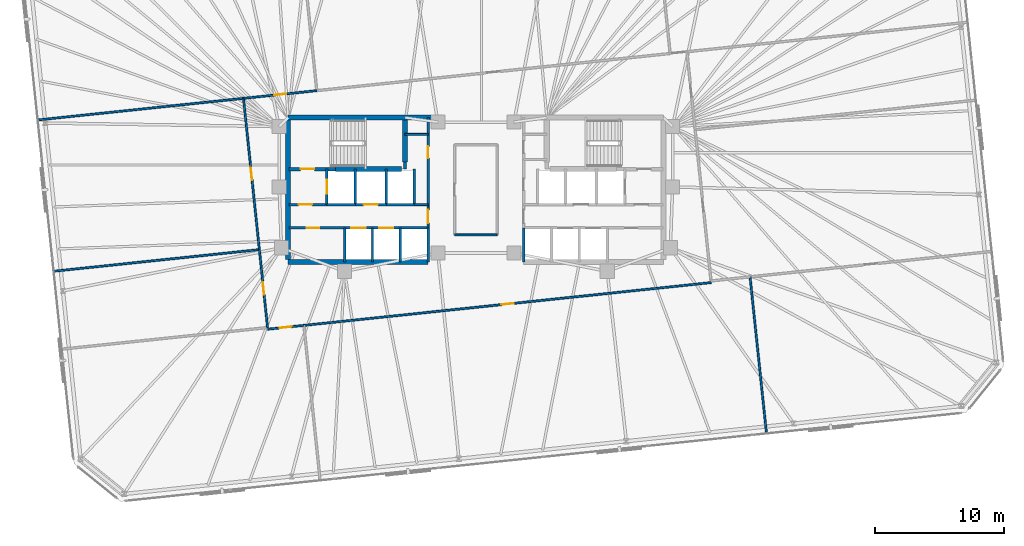
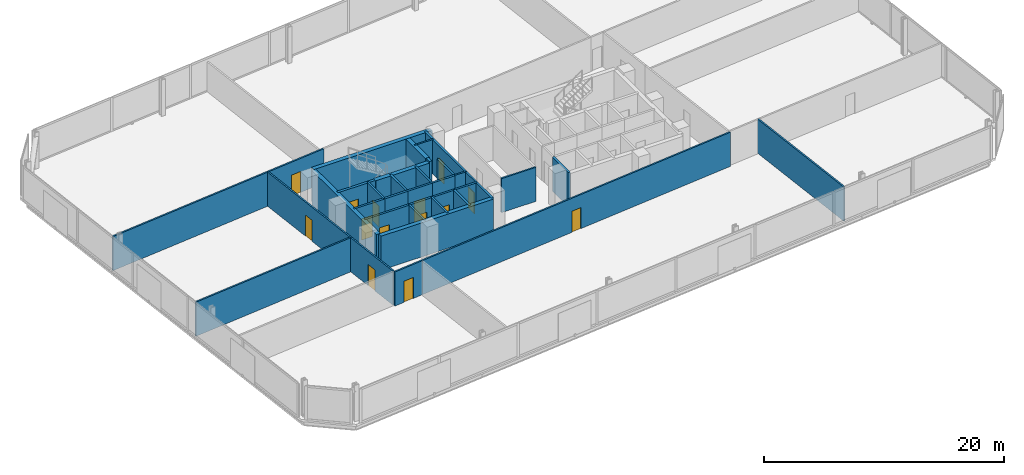
# One storey, part 14 of 18: 34 walls, 14 doors, 14 openings.
"""IFC4 building model written with IfcOpenShell, lengths in metres."""

import ifcopenshell
import ifcopenshell.guid

model = None  # the IFC model being written
_history = None  # IfcOwnerHistory: only IFC2X3 demands one
_inside = {}  # id of a spatial element -> (the spatial element, [elements in it])
_under = {}  # id of a project, library or spatial element -> (it, [spatial elements below it])
_declared = {}  # id of a project -> (the project, [libraries it declares])
_typed = {}  # id of a type object -> (the type object, [elements of that type])
_made_of = {}  # id of a material, layer set ... -> (it, [elements and type objects made of it])


def new_model(schema):
    """Start an empty IFC model of exactly this schema.

    Asked for "IFC4X3", IfcOpenShell would pick the latest addendum, in which some entities
    have other attributes; the version numbers below select the first issue.
    IFC2X3 requires an IfcOwnerHistory on every rooted entity: one is made here for all.
    """
    global model, _history
    if schema == "IFC4X3":
        model = ifcopenshell.file(schema_version=(4, 3, 0, 0))
    else:
        model = ifcopenshell.file(schema=schema)
    _inside.clear()
    _under.clear()
    _declared.clear()
    _typed.clear()
    _made_of.clear()
    _history = None
    if model.schema == "IFC2X3":
        org = make("IfcOrganization", Name="unknown")
        user = make(
            "IfcPersonAndOrganization",
            ThePerson=make("IfcPerson", FamilyName="unknown"),
            TheOrganization=org,
        )
        app = make(
            "IfcApplication",
            ApplicationDeveloper=org,
            Version="unknown",
            ApplicationFullName="unknown",
            ApplicationIdentifier="unknown",
        )
        _history = make(
            "IfcOwnerHistory",
            OwningUser=user,
            OwningApplication=app,
            ChangeAction="ADDED",
            CreationDate=0,
        )
    return model


def make(cls, **values):
    """One entity of the class cls with the attributes given. An attribute that is None is left unset."""
    return model.create_entity(
        cls, **{name: value for name, value in values.items() if value is not None}
    )


def rooted(cls, **values):
    """An entity with a GlobalId (a new one), such as an element, a storey or a relation."""
    return make(cls, GlobalId=ifcopenshell.guid.new(), OwnerHistory=_history, **values)


def si_unit(unit_type, name, prefix=None):
    """IfcSIUnit, for example si_unit("LENGTHUNIT", "METRE", prefix="MILLI")."""
    return make("IfcSIUnit", UnitType=unit_type, Prefix=prefix, Name=name)


def assignment(units):
    """IfcUnitAssignment: the units of a project."""
    return None if units is None else make("IfcUnitAssignment", Units=units)


def point(xyz):
    """IfcCartesianPoint."""
    return None if xyz is None else make("IfcCartesianPoint", Coordinates=xyz)


def direction(xyz):
    """IfcDirection."""
    return None if xyz is None else make("IfcDirection", DirectionRatios=xyz)


def frame(location, z_axis=None, x_axis=None):
    """IfcAxis2Placement3D, a coordinate frame: its origin and axes. An axis left out is left unset."""
    return make(
        "IfcAxis2Placement3D",
        Location=point(location),
        Axis=direction(z_axis),
        RefDirection=direction(x_axis),
    )


def frame_2d(location, x_axis=None):
    """IfcAxis2Placement2D, a coordinate frame in the plane: its origin and x axis."""
    return make(
        "IfcAxis2Placement2D", Location=point(location), RefDirection=direction(x_axis)
    )


def origin():
    """The frame at (0, 0, 0) with its axes left unset."""
    return frame((0.0, 0.0, 0.0))


def place(relative_to, where):
    """IfcLocalPlacement: puts the frame where relative to a parent placement (None: the world)."""
    return make(
        "IfcLocalPlacement", PlacementRelTo=relative_to, RelativePlacement=where
    )


def context(
    kind, dimensions, precision=None, world=None, true_north=None, identifier=None
):
    """IfcGeometricRepresentationContext, for example the 3D "Model" context."""
    return make(
        "IfcGeometricRepresentationContext",
        ContextIdentifier=identifier,
        ContextType=kind,
        CoordinateSpaceDimension=dimensions,
        Precision=precision,
        WorldCoordinateSystem=world,
        TrueNorth=true_north,
    )


def subcontext(parent, identifier, kind, view, scale=None):
    """IfcGeometricRepresentationSubContext, for example "Body" below "Model"."""
    return make(
        "IfcGeometricRepresentationSubContext",
        ContextIdentifier=identifier,
        ContextType=kind,
        ParentContext=parent,
        TargetScale=scale,
        TargetView=view,
    )


def project(units=None, contexts=None):
    """IfcProject with its units and contexts."""
    return rooted(
        "IfcProject",
        Name="project",
        RepresentationContexts=contexts,
        UnitsInContext=assignment(units),
    )


def spatial(cls, under=None, at=None, **own):
    """A site, building, storey or space (cls), placed at a placement, below another one or the project."""
    s = rooted(cls, ObjectPlacement=at, **own)
    if under is not None:
        _under.setdefault(under.id(), (under, []))[1].append(s)
    return s


def profile(cls, at=None, kind="AREA", **sizes):
    """A parametric profile (cls). Its sizes go by their IFC names, for example OverallWidth=200.0."""
    return make(cls, ProfileType=kind, Position=at, **sizes)


def rectangle(**sizes):
    """IfcRectangleProfileDef."""
    return profile("IfcRectangleProfileDef", **sizes)


def extrude(swept, where, along, depth):
    """IfcExtrudedAreaSolid: the profile swept, set in the frame where, extruded along a direction by depth."""
    return make(
        "IfcExtrudedAreaSolid",
        SweptArea=swept,
        Position=where,
        ExtrudedDirection=direction(along),
        Depth=depth,
    )


def shape(context_of_items, identifier, shape_type, items):
    """IfcShapeRepresentation: the items that make up one representation, for example the "Body"."""
    return make(
        "IfcShapeRepresentation",
        ContextOfItems=context_of_items,
        RepresentationIdentifier=identifier,
        RepresentationType=shape_type,
        Items=items,
    )


def material(Name=None, Category=None):
    """IfcMaterial."""
    return make("IfcMaterial", Name=Name, Category=Category)


def layer(
    of_material, thickness, ventilated=None, Name=None, Category=None, Priority=None
):
    """IfcMaterialLayer: one layer of a wall or slab, of a material (None: an air gap)."""
    return make(
        "IfcMaterialLayer",
        Material=of_material,
        LayerThickness=thickness,
        IsVentilated=ventilated,
        Name=Name,
        Category=Category,
        Priority=Priority,
    )


def layer_set(layers, Name=None):
    """IfcMaterialLayerSet."""
    return make("IfcMaterialLayerSet", MaterialLayers=layers, LayerSetName=Name)


def made_of(thing, what):
    """Note that an element or type object is made of a material, layer set ...; save() writes the relation."""
    if what is not None:
        _made_of.setdefault(what.id(), (what, []))[1].append(thing)
    return thing


def type_object(cls, material=None, **own):
    """A type object (cls), such as IfcWallType, which elements share."""
    return made_of(rooted(cls, **own), material)


def element(
    cls,
    number,
    at=None,
    inside=None,
    cuts=None,
    type_object=None,
    material=None,
    context=None,
    identifier="Body",
    shape_type=None,
    held_by="IfcProductDefinitionShape",
    body=None,
    shapes=None,
    **own,
):
    """One element of the class cls, such as IfcWall. Its Tag is "e" and its number.

    at: its placement. inside: the storey or other place that contains it. cuts: it is an
    opening in that element (IfcRelVoidsElement). A single representation is given by context,
    identifier, shape_type and body (its items); several are given by shapes. held_by: the class
    of the entity that holds the representations. save() writes the other relations.
    """
    e = rooted(cls, Tag="e%d" % number, ObjectPlacement=at, **own)
    if body is not None:
        shapes = [shape(context, identifier, shape_type, body)]
    if shapes is not None:
        e.Representation = make(held_by, Representations=shapes)
    if inside is not None:
        _inside.setdefault(inside.id(), (inside, []))[1].append(e)
    if cuts is not None:
        rooted(
            "IfcRelVoidsElement", RelatingBuildingElement=cuts, RelatedOpeningElement=e
        )
    if type_object is not None:
        _typed.setdefault(type_object.id(), (type_object, []))[1].append(e)
    return made_of(e, material)


def fill(opening, filler):
    """IfcRelFillsElement: the door or window that sits in an opening."""
    return rooted(
        "IfcRelFillsElement",
        RelatingOpeningElement=opening,
        RelatedBuildingElement=filler,
    )


def aggregate(whole, parts):
    """IfcRelAggregates: a whole, such as a stair, and the parts it consists of."""
    return rooted("IfcRelAggregates", RelatingObject=whole, RelatedObjects=parts)


def save(model, path):
    """Write the relations noted so far, then the file.

    IfcRelAggregates (storeys below a building ...), IfcRelContainedInSpatialStructure (elements
    in a storey), IfcRelDefinesByType, IfcRelAssociatesMaterial and IfcRelDeclares: one each for
    every whole, place, type object, material and project.
    """
    for whole, parts in _under.values():
        aggregate(whole, parts)
    for where, things in _inside.values():
        rooted(
            "IfcRelContainedInSpatialStructure",
            RelatedElements=things,
            RelatingStructure=where,
        )
    for kind, things in _typed.values():
        rooted("IfcRelDefinesByType", RelatedObjects=things, RelatingType=kind)
    for what, things in _made_of.values():
        rooted("IfcRelAssociatesMaterial", RelatedObjects=things, RelatingMaterial=what)
    for by, libraries in _declared.values():
        rooted("IfcRelDeclares", RelatingContext=by, RelatedDefinitions=libraries)
    model.write(path)


model = new_model("IFC4")

# Units and contexts
model_context = context("Model", 3, precision=1e-05, world=origin(), true_north=direction((0.0, 1.0)))
body_context = subcontext(model_context, "Body", "Model", "MODEL_VIEW")
ifc_project = project(units=[si_unit("LENGTHUNIT", "METRE"), si_unit("AREAUNIT", "SQUARE_METRE"), si_unit("VOLUMEUNIT", "CUBIC_METRE"), si_unit("PLANEANGLEUNIT", "RADIAN"), si_unit("MASSUNIT", "GRAM", prefix="KILO")], contexts=[model_context])

# Site, building, storey
site_placement = place(None, origin())
site = spatial("IfcSite", under=ifc_project, at=site_placement, CompositionType="ELEMENT")
building_placement = place(site_placement, origin())
building = spatial("IfcBuilding", under=site, at=building_placement, Name="Menara Jurai Vektor", CompositionType="ELEMENT")
storey_placement = place(building_placement, frame((0.0, 0.0, 91.10009765625)))
storey = spatial("IfcBuildingStorey", under=building, at=storey_placement, Name="L22", CompositionType="ELEMENT", Elevation=91.10009765625)

# Wall, opening, door
ifc_material_1 = material(Name="Concrete C40/50", Category="concrete")
ifc_layer_1 = layer(ifc_material_1, 0.25)
ifc_layer_set_1 = layer_set([ifc_layer_1], Name="Concrete C40/50")
wall_type_1 = type_object("IfcWallType", Name="INT-WALL-CORE-250", PredefinedType="STANDARD", material=ifc_layer_set_1)
wall_1_placement = place(storey_placement, frame((-14.5, 1.60009765625, 0.0), z_axis=(0.0, 0.0, 1.0), x_axis=(1.0, 0.0, 0.0)))
wall_1 = element("IfcWall", 1, at=wall_1_placement, inside=storey, type_object=wall_type_1, Name="Interior Wall IW-250 L22", PredefinedType="STANDARD", context=body_context, shape_type="SweptSolid", body=[
    extrude(rectangle(XDim=3.60009765625, YDim=0.25, at=frame_2d((1.800048828125, 0.0))), origin(), (0.0, 0.0, 1.0), 3.474853515625),
])
opening_1_placement = place(wall_1_placement, frame((0.919921875, 0.0, 0.0)))
opening_1 = element("IfcOpeningElement", 2, at=opening_1_placement, cuts=wall_1, Name="Opening D-L22-ST1", PredefinedType="OPENING", context=body_context, shape_type="SweptSolid", body=[
    extrude(rectangle(XDim=1.050048828125, YDim=2.14990234375, at=frame_2d((0.52490234375, 1.074951171875))), frame((0.0, 0.135009765625, 0.0), z_axis=(0.0, -1.0, 0.0), x_axis=(1.0, 0.0, 0.0)), (0.0, 0.0, 1.0), 0.27001953125),
])
ifc_material_2 = material(Name="Fire-Rated Steel Door", Category="steel")
door_type_1 = type_object("IfcDoorType", Name="DR-STAIR-1050", OperationType="NOTDEFINED", PredefinedType="DOOR", material=ifc_material_2)
door_1_placement = place(opening_1_placement, origin())
door_1 = element("IfcDoor", 3, at=door_1_placement, inside=storey, type_object=door_type_1, Name="Exit Stair ST1 Door L22", OperationType="SINGLE_SWING_RIGHT", OverallHeight=2.14990234375, OverallWidth=1.050048828125, PredefinedType="DOOR", context=body_context, shape_type="SweptSolid", body=[
    extrude(rectangle(XDim=1.050048828125, YDim=2.14990234375, at=frame_2d((0.52490234375, 1.074951171875))), frame((0.0, 0.02490234375, 0.0), z_axis=(0.0, -1.0, 0.0), x_axis=(1.0, 0.0, 0.0)), (0.0, 0.0, 1.0), 0.050048828125),
])
fill(opening_1, door_1)

# Wall
wall_2_placement = place(storey_placement, frame((-5.5, 1.60009765625, 0.0), z_axis=(0.0, 0.0, 1.0), x_axis=(0.0, 1.0, 0.0)))
element("IfcWall", 4, at=wall_2_placement, inside=storey, type_object=wall_type_1, Name="Interior Wall IW-250 L22", PredefinedType="STANDARD", context=body_context, shape_type="SweptSolid", body=[
    extrude(rectangle(XDim=0.5498046875, YDim=0.25, at=frame_2d((0.27490234375, 0.0))), origin(), (0.0, 0.0, 1.0), 3.474853515625),
])

# Wall, opening, door
wall_3_placement = place(storey_placement, frame((-11.550048828125, -1.14990234375, 0.0), z_axis=(0.0, 0.0, 1.0), x_axis=(0.0, 1.0, 0.0)))
wall_3 = element("IfcWall", 5, at=wall_3_placement, inside=storey, type_object=wall_type_1, Name="Interior Wall IW-250 L22", PredefinedType="STANDARD", context=body_context, shape_type="SweptSolid", body=[
    extrude(rectangle(XDim=2.75, YDim=0.199951171875, at=frame_2d((1.375, 0.0))), origin(), (0.0, 0.0, 1.0), 3.474853515625),
])
opening_2_placement = place(wall_3_placement, frame((0.824951171875, 0.0, 0.0)))
opening_2 = element("IfcOpeningElement", 6, at=opening_2_placement, cuts=wall_3, Name="Opening LD-L22-FL1", PredefinedType="OPENING", context=body_context, shape_type="SweptSolid", body=[
    extrude(rectangle(XDim=1.10009765625, YDim=2.14990234375, at=frame_2d((0.550048828125, 1.074951171875))), frame((0.0, 0.10986328125, 0.0), z_axis=(0.0, -1.0, 0.0), x_axis=(1.0, 0.0, 0.0)), (0.0, 0.0, 1.0), 0.219970703125),
])
ifc_material_3 = material(Name="Stainless Steel Sliding Lift Landing Door", Category="steel")
door_type_2 = type_object("IfcDoorType", Name="DR-LIFT-FIRE-1100", OperationType="NOTDEFINED", PredefinedType="DOOR", material=ifc_material_3)
door_2_placement = place(opening_2_placement, origin())
door_2 = element("IfcDoor", 7, at=door_2_placement, inside=storey, type_object=door_type_2, Name="Lift Landing Door FL1 L22", OperationType="SLIDING_TO_RIGHT", OverallHeight=2.14990234375, OverallWidth=1.10009765625, PredefinedType="DOOR", context=body_context, shape_type="SweptSolid", body=[
    extrude(rectangle(XDim=1.10009765625, YDim=2.14990234375, at=frame_2d((0.550048828125, 1.074951171875))), frame((0.0, 0.02490234375, 0.0), z_axis=(0.0, -1.0, 0.0), x_axis=(1.0, 0.0, 0.0)), (0.0, 0.0, 1.0), 0.050048828125),
])
fill(opening_2, door_2)

# Wall
wall_4_placement = place(storey_placement, frame((-9.35009765625, -1.14990234375, 0.0), z_axis=(0.0, 0.0, 1.0), x_axis=(0.0, 1.0, 0.0)))
element("IfcWall", 8, at=wall_4_placement, inside=storey, type_object=wall_type_1, Name="Interior Wall IW-250 L22", PredefinedType="STANDARD", context=body_context, shape_type="SweptSolid", body=[
    extrude(rectangle(XDim=2.75, YDim=0.199951171875, at=frame_2d((1.375, 0.0))), origin(), (0.0, 0.0, 1.0), 3.474853515625),
])

# Wall, opening, door
wall_5_placement = place(storey_placement, frame((-14.5, -1.14990234375, 0.0), z_axis=(0.0, 0.0, 1.0), x_axis=(1.0, 0.0, 0.0)))
wall_5 = element("IfcWall", 9, at=wall_5_placement, inside=storey, type_object=wall_type_1, Name="Interior Wall IW-250 L22", PredefinedType="STANDARD", context=body_context, shape_type="SweptSolid", body=[
    extrude(rectangle(XDim=2.949951171875, YDim=0.199951171875, at=frame_2d((1.47509765625, 0.0))), origin(), (0.0, 0.0, 1.0), 3.474853515625),
])
opening_3_placement = place(wall_5_placement, frame((0.75, 0.0, 0.0)))
opening_3 = element("IfcOpeningElement", 10, at=opening_3_placement, cuts=wall_5, Name="Opening D-L22-FFW", PredefinedType="OPENING", context=body_context, shape_type="SweptSolid", body=[
    extrude(rectangle(XDim=1.050048828125, YDim=2.179931640625, at=frame_2d((0.52490234375, 1.08984375))), frame((0.0, 0.10986328125, 0.0), z_axis=(0.0, -1.0, 0.0), x_axis=(1.0, 0.0, 0.0)), (0.0, 0.0, 1.0), 0.219970703125),
])
ifc_material_4 = material(Name="Fire-Rated Timber Door", Category="wood")
door_type_3 = type_object("IfcDoorType", Name="DR-LOBBY-1050", OperationType="NOTDEFINED", PredefinedType="DOOR", material=ifc_material_4)
door_3_placement = place(opening_3_placement, origin())
door_3 = element("IfcDoor", 11, at=door_3_placement, inside=storey, type_object=door_type_3, Name="Fire Lift Lobby Door W L22", OperationType="SINGLE_SWING_RIGHT", OverallHeight=2.179931640625, OverallWidth=1.050048828125, PredefinedType="DOOR", context=body_context, shape_type="SweptSolid", body=[
    extrude(rectangle(XDim=1.050048828125, YDim=2.179931640625, at=frame_2d((0.52490234375, 1.08984375))), frame((0.0, 0.02490234375, 0.0), z_axis=(0.0, -1.0, 0.0), x_axis=(1.0, 0.0, 0.0)), (0.0, 0.0, 1.0), 0.050048828125),
])
fill(opening_3, door_3)

# Wall
wall_6_placement = place(storey_placement, frame((-11.550048828125, -1.14990234375, 0.0), z_axis=(0.0, 0.0, 1.0), x_axis=(1.0, 0.0, 0.0)))
element("IfcWall", 12, at=wall_6_placement, inside=storey, type_object=wall_type_1, Name="Interior Wall IW-250 L22", PredefinedType="STANDARD", context=body_context, shape_type="SweptSolid", body=[
    extrude(rectangle(XDim=2.199951171875, YDim=0.199951171875, at=frame_2d((1.10009765625, 0.0))), origin(), (0.0, 0.0, 1.0), 3.474853515625),
])

# Wall, opening, door
ifc_material_5 = material(Name="Gypsum Fireboard Partition", Category="gypsum")
ifc_layer_2 = layer(ifc_material_5, 0.14990234375)
ifc_layer_set_2 = layer_set([ifc_layer_2], Name="Gypsum Fireboard Partition")
wall_type_2 = type_object("IfcWallType", Name="INT-WALL-CORR-150", PredefinedType="PARTITIONING", material=ifc_layer_set_2)
wall_7_placement = place(storey_placement, frame((-3.699951171875, -2.949951171875, 0.0), z_axis=(0.0, 0.0, 1.0), x_axis=(0.0, 1.0, 0.0)))
wall_7 = element("IfcWall", 13, at=wall_7_placement, inside=storey, type_object=wall_type_2, Name="Interior Wall IW-150 L22", PredefinedType="PARTITIONING", context=body_context, shape_type="SweptSolid", body=[
    extrude(rectangle(XDim=1.800048828125, YDim=0.14990234375, at=frame_2d((0.89990234375, 0.0))), origin(), (0.0, 0.0, 1.0), 3.474853515625),
])
opening_4_placement = place(wall_7_placement, frame((0.35009765625, 0.0, 0.0)))
opening_4 = element("IfcOpeningElement", 14, at=opening_4_placement, cuts=wall_7, Name="Opening D-L22-LLW", PredefinedType="OPENING", context=body_context, shape_type="SweptSolid", body=[
    extrude(rectangle(XDim=1.050048828125, YDim=2.179931640625, at=frame_2d((0.52490234375, 1.08984375))), frame((0.0, 0.0849609375, 0.0), z_axis=(0.0, -1.0, 0.0), x_axis=(1.0, 0.0, 0.0)), (0.0, 0.0, 1.0), 0.169921875),
])
door_4_placement = place(opening_4_placement, origin())
door_4 = element("IfcDoor", 15, at=door_4_placement, inside=storey, type_object=door_type_3, Name="Lift Lobby Corridor Door W L22", OperationType="SINGLE_SWING_LEFT", OverallHeight=2.179931640625, OverallWidth=1.050048828125, PredefinedType="DOOR", context=body_context, shape_type="SweptSolid", body=[
    extrude(rectangle(XDim=1.050048828125, YDim=2.179931640625, at=frame_2d((0.52490234375, 1.08984375))), frame((0.0, 0.02490234375, 0.0), z_axis=(0.0, -1.0, 0.0), x_axis=(1.0, 0.0, 0.0)), (0.0, 0.0, 1.0), 0.050048828125),
])
fill(opening_4, door_4)

# Walls
wall_8_placement = place(storey_placement, frame((-4.7900390625, -1.14990234375, 0.0), z_axis=(0.0, 0.0, 1.0), x_axis=(1.0, 0.0, 0.0)))
element("IfcWall", 16, at=wall_8_placement, inside=storey, type_object=wall_type_2, Name="Interior Wall IW-150 L22", PredefinedType="PARTITIONING", context=body_context, shape_type="SweptSolid", body=[
    extrude(rectangle(XDim=1.090087890625, YDim=0.14990234375, at=frame_2d((0.544921875, 0.0))), origin(), (0.0, 0.0, 1.0), 3.474853515625),
])
wall_9_placement = place(storey_placement, frame((-5.5, 4.300048828125, 0.0), z_axis=(0.0, 0.0, 1.0), x_axis=(1.0, 0.0, 0.0)))
element("IfcWall", 17, at=wall_9_placement, inside=storey, type_object=wall_type_2, Name="Interior Wall IW-150 L22", PredefinedType="PARTITIONING", context=body_context, shape_type="SweptSolid", body=[
    extrude(rectangle(XDim=1.800048828125, YDim=0.14990234375, at=frame_2d((0.89990234375, 0.0))), origin(), (0.0, 0.0, 1.0), 3.474853515625),
])
wall_10_placement = place(storey_placement, frame((-1.649658203125, -3.490478515625, 0.0), z_axis=(0.0, 0.0, 1.0), x_axis=(1.0, 0.0, 0.0)))
element("IfcWall", 18, at=wall_10_placement, inside=storey, type_object=wall_type_2, Name="Interior Wall IW-150 L22", PredefinedType="PARTITIONING", context=body_context, shape_type="SweptSolid", body=[
    extrude(rectangle(XDim=3.300048828125, YDim=0.14990234375, at=frame_2d((1.64990234375, 0.0))), origin(), (0.0, 0.0, 1.0), 3.474853515625),
])

# Wall, opening, door
wall_11_placement = place(storey_placement, frame((-18.021240234375, 7.09033203125, 0.0), z_axis=(0.0, 0.0, 1.0), x_axis=(0.994520418841, 0.104542510534, 0.0)))
wall_11 = element("IfcWall", 19, at=wall_11_placement, inside=storey, type_object=wall_type_2, Name="Interior Wall IW-150 L22", PredefinedType="PARTITIONING", context=body_context, shape_type="SweptSolid", body=[
    extrude(rectangle(XDim=5.716796875, YDim=0.14990234375, at=frame_2d((2.8583984375, 0.0))), origin(), (0.0, 0.0, 1.0), 3.474853515625),
])
opening_5_placement = place(wall_11_placement, frame((2.383544921875, 0.0, 0.0)))
opening_5 = element("IfcOpeningElement", 20, at=opening_5_placement, cuts=wall_11, Name="Opening D22-07", PredefinedType="OPENING", context=body_context, shape_type="SweptSolid", body=[
    extrude(rectangle(XDim=0.949951171875, YDim=2.14990234375, at=frame_2d((0.47509765625, 1.074951171875))), frame((0.0, 0.0849609375, 0.0), z_axis=(0.0, -1.0, 0.0), x_axis=(1.0, 0.0, 0.0)), (0.0, 0.0, 1.0), 0.169921875),
])
ifc_material_6 = material(Name="Solid Core Timber Fire Door", Category="wood")
door_type_4 = type_object("IfcDoorType", Name="DR-ENTRY-950", OperationType="NOTDEFINED", PredefinedType="DOOR", material=ifc_material_6)
door_5_placement = place(opening_5_placement, origin())
door_5 = element("IfcDoor", 21, at=door_5_placement, inside=storey, type_object=door_type_4, Name="Interior Door D22-07", OperationType="SINGLE_SWING_RIGHT", OverallHeight=2.14990234375, OverallWidth=0.949951171875, PredefinedType="DOOR", context=body_context, shape_type="SweptSolid", body=[
    extrude(rectangle(XDim=0.949951171875, YDim=2.14990234375, at=frame_2d((0.47509765625, 1.074951171875))), frame((0.0, 0.02490234375, 0.0), z_axis=(0.0, -1.0, 0.0), x_axis=(1.0, 0.0, 0.0)), (0.0, 0.0, 1.0), 0.050048828125),
])
fill(opening_5, door_5)

wall_12_placement = place(storey_placement, frame((-16.139892578125, -10.80908203125, 0.0), z_axis=(0.0, 0.0, 1.0), x_axis=(0.994522535937, 0.104522368483, 0.0)))
wall_12 = element("IfcWall", 22, at=wall_12_placement, inside=storey, type_object=wall_type_2, Name="Interior Wall IW-150 L22", PredefinedType="PARTITIONING", context=body_context, shape_type="SweptSolid", body=[
    extrude(rectangle(XDim=2.81689453125, YDim=0.14990234375, at=frame_2d((1.408447265625, 0.0))), origin(), (0.0, 0.0, 1.0), 3.474853515625),
])
opening_6_placement = place(wall_12_placement, frame((0.93359375, 0.0, 0.0)))
opening_6 = element("IfcOpeningElement", 23, at=opening_6_placement, cuts=wall_12, Name="Opening D22-10", PredefinedType="OPENING", context=body_context, shape_type="SweptSolid", body=[
    extrude(rectangle(XDim=0.949951171875, YDim=2.14990234375, at=frame_2d((0.47509765625, 1.074951171875))), frame((0.0, 0.0849609375, 0.0), z_axis=(0.0, -1.0, 0.0), x_axis=(1.0, 0.0, 0.0)), (0.0, 0.0, 1.0), 0.169921875),
])
door_6_placement = place(opening_6_placement, origin())
door_6 = element("IfcDoor", 24, at=door_6_placement, inside=storey, type_object=door_type_4, Name="Interior Door D22-10", OperationType="SINGLE_SWING_LEFT", OverallHeight=2.14990234375, OverallWidth=0.949951171875, PredefinedType="DOOR", context=body_context, shape_type="SweptSolid", body=[
    extrude(rectangle(XDim=0.949951171875, YDim=2.14990234375, at=frame_2d((0.47509765625, 1.074951171875))), frame((0.0, 0.02490234375, 0.0), z_axis=(0.0, -1.0, 0.0), x_axis=(1.0, 0.0, 0.0)), (0.0, 0.0, 1.0), 0.050048828125),
])
fill(opening_6, door_6)

wall_13_placement = place(storey_placement, frame((-13.33837890625, -10.5146484375, 0.0), z_axis=(0.0, 0.0, 1.0), x_axis=(0.994522458216, 0.104523107989, 0.0)))
wall_13 = element("IfcWall", 25, at=wall_13_placement, inside=storey, type_object=wall_type_2, Name="Interior Wall IW-150 L22", PredefinedType="PARTITIONING", context=body_context, shape_type="SweptSolid", body=[
    extrude(rectangle(XDim=31.7568359375, YDim=0.14990234375, at=frame_2d((15.87841796875, 0.0))), origin(), (0.0, 0.0, 1.0), 3.474853515625),
])
opening_7_placement = place(wall_13_placement, frame((15.403564453125, 0.0, 0.0)))
opening_7 = element("IfcOpeningElement", 26, at=opening_7_placement, cuts=wall_13, Name="Opening D22-11", PredefinedType="OPENING", context=body_context, shape_type="SweptSolid", body=[
    extrude(rectangle(XDim=0.949951171875, YDim=2.14990234375, at=frame_2d((0.47509765625, 1.074951171875))), frame((0.0, 0.0849609375, 0.0), z_axis=(0.0, -1.0, 0.0), x_axis=(1.0, 0.0, 0.0)), (0.0, 0.0, 1.0), 0.169921875),
])
door_7_placement = place(opening_7_placement, origin())
door_7 = element("IfcDoor", 27, at=door_7_placement, inside=storey, type_object=door_type_4, Name="Interior Door D22-11", OperationType="SINGLE_SWING_RIGHT", OverallHeight=2.14990234375, OverallWidth=0.949951171875, PredefinedType="DOOR", context=body_context, shape_type="SweptSolid", body=[
    extrude(rectangle(XDim=0.949951171875, YDim=2.14990234375, at=frame_2d((0.47509765625, 1.074951171875))), frame((0.0, 0.02490234375, 0.0), z_axis=(0.0, -1.0, 0.0), x_axis=(1.0, 0.0, 0.0)), (0.0, 0.0, 1.0), 0.050048828125),
])
fill(opening_7, door_7)

wall_14_placement = place(storey_placement, frame((-16.1533203125, -10.681884765625, 0.0), z_axis=(0.0, 0.0, 1.0), x_axis=(-0.104550920346, 0.994519534778, 0.0)))
wall_14 = element("IfcWall", 28, at=wall_14_placement, inside=storey, type_object=wall_type_2, Name="Interior Wall IW-150 L22", PredefinedType="PARTITIONING", context=body_context, shape_type="SweptSolid", body=[
    extrude(rectangle(XDim=6.075927734375, YDim=0.14990234375, at=frame_2d((3.0380859375, 0.0))), origin(), (0.0, 0.0, 1.0), 3.474853515625),
])
opening_8_placement = place(wall_14_placement, frame((2.56298828125, 0.0, 0.0)))
opening_8 = element("IfcOpeningElement", 29, at=opening_8_placement, cuts=wall_14, Name="Opening D22-12", PredefinedType="OPENING", context=body_context, shape_type="SweptSolid", body=[
    extrude(rectangle(XDim=0.949951171875, YDim=2.14990234375, at=frame_2d((0.47509765625, 1.074951171875))), frame((0.0, 0.0849609375, 0.0), z_axis=(0.0, -1.0, 0.0), x_axis=(1.0, 0.0, 0.0)), (0.0, 0.0, 1.0), 0.169921875),
])
door_8_placement = place(opening_8_placement, origin())
door_8 = element("IfcDoor", 30, at=door_8_placement, inside=storey, type_object=door_type_4, Name="Interior Door D22-12", OperationType="SINGLE_SWING_LEFT", OverallHeight=2.14990234375, OverallWidth=0.949951171875, PredefinedType="DOOR", context=body_context, shape_type="SweptSolid", body=[
    extrude(rectangle(XDim=0.949951171875, YDim=2.14990234375, at=frame_2d((0.47509765625, 1.074951171875))), frame((0.0, 0.02490234375, 0.0), z_axis=(0.0, -1.0, 0.0), x_axis=(1.0, 0.0, 0.0)), (0.0, 0.0, 1.0), 0.050048828125),
])
fill(opening_8, door_8)

wall_15_placement = place(storey_placement, frame((-16.78857421875, -4.63916015625, 0.0), z_axis=(0.0, 0.0, 1.0), x_axis=(-0.104515608009, 0.994523246426, 0.0)))
wall_15 = element("IfcWall", 31, at=wall_15_placement, inside=storey, type_object=wall_type_2, Name="Interior Wall IW-150 L22", PredefinedType="PARTITIONING", context=body_context, shape_type="SweptSolid", body=[
    extrude(rectangle(XDim=11.794189453125, YDim=0.14990234375, at=frame_2d((5.89697265625, 0.0))), origin(), (0.0, 0.0, 1.0), 3.474853515625),
])
opening_9_placement = place(wall_15_placement, frame((5.422119140625, 0.0, 0.0)))
opening_9 = element("IfcOpeningElement", 32, at=opening_9_placement, cuts=wall_15, Name="Opening D22-13", PredefinedType="OPENING", context=body_context, shape_type="SweptSolid", body=[
    extrude(rectangle(XDim=0.949951171875, YDim=2.14990234375, at=frame_2d((0.47509765625, 1.074951171875))), frame((0.0, 0.0849609375, 0.0), z_axis=(0.0, -1.0, 0.0), x_axis=(1.0, 0.0, 0.0)), (0.0, 0.0, 1.0), 0.169921875),
])
door_9_placement = place(opening_9_placement, origin())
door_9 = element("IfcDoor", 33, at=door_9_placement, inside=storey, type_object=door_type_4, Name="Interior Door D22-13", OperationType="SINGLE_SWING_RIGHT", OverallHeight=2.14990234375, OverallWidth=0.949951171875, PredefinedType="DOOR", context=body_context, shape_type="SweptSolid", body=[
    extrude(rectangle(XDim=0.949951171875, YDim=2.14990234375, at=frame_2d((0.47509765625, 1.074951171875))), frame((0.0, 0.02490234375, 0.0), z_axis=(0.0, -1.0, 0.0), x_axis=(1.0, 0.0, 0.0)), (0.0, 0.0, 1.0), 0.050048828125),
])
fill(opening_9, door_9)

# Walls
wall_16_placement = place(storey_placement, frame((-33.966552734375, 5.414306640625, 0.0), z_axis=(0.0, 0.0, 1.0), x_axis=(0.994521211213, 0.104534972363, 0.0)))
element("IfcWall", 34, at=wall_16_placement, inside=storey, type_object=wall_type_2, Name="Interior Wall IW-150 L22", PredefinedType="PARTITIONING", context=body_context, shape_type="SweptSolid", body=[
    extrude(rectangle(XDim=16.033203125, YDim=0.14990234375, at=frame_2d((8.0166015625, 0.0))), origin(), (0.0, 0.0, 1.0), 3.474853515625),
])
wall_17_placement = place(storey_placement, frame((22.534912109375, -18.90380859375, 0.0), z_axis=(0.0, 0.0, 1.0), x_axis=(-0.104520477826, 0.99452273464, 0.0)))
element("IfcWall", 35, at=wall_17_placement, inside=storey, type_object=wall_type_2, Name="Interior Wall IW-150 L22", PredefinedType="PARTITIONING", context=body_context, shape_type="SweptSolid", body=[
    extrude(rectangle(XDim=12.220947265625, YDim=0.14990234375, at=frame_2d((6.1103515625, 0.0))), origin(), (0.0, 0.0, 1.0), 3.474853515625),
])
wall_18_placement = place(storey_placement, frame((-32.733642578125, -6.31494140625, 0.0), z_axis=(0.0, 0.0, 1.0), x_axis=(0.994522627807, 0.104521494347, 0.0)))
element("IfcWall", 36, at=wall_18_placement, inside=storey, type_object=wall_type_2, Name="Interior Wall IW-150 L22", PredefinedType="PARTITIONING", context=body_context, shape_type="SweptSolid", body=[
    extrude(rectangle(XDim=16.032958984375, YDim=0.14990234375, at=frame_2d((8.0166015625, 0.0))), origin(), (0.0, 0.0, 1.0), 3.474853515625),
])

# Wall, opening, door
ifc_layer_3 = layer(ifc_material_1, 0.199951171875)
ifc_layer_set_3 = layer_set([ifc_layer_3], Name="Concrete C40/50")
wall_type_3 = type_object("IfcWallType", Name="INT-WALL-SHAFT-200", PredefinedType="STANDARD", material=ifc_layer_set_3)
wall_19_placement = place(storey_placement, frame((-3.699951171875, -1.14990234375, 0.0), z_axis=(0.0, 0.0, 1.0), x_axis=(0.0, 1.0, 0.0)))
wall_19 = element("IfcWall", 37, at=wall_19_placement, inside=storey, type_object=wall_type_3, Name="Interior Wall IW-200 L22", PredefinedType="STANDARD", context=body_context, shape_type="SweptSolid", body=[
    extrude(rectangle(XDim=6.75, YDim=0.199951171875, at=frame_2d((3.375, 0.0))), origin(), (0.0, 0.0, 1.0), 3.474853515625),
])
opening_10_placement = place(wall_19_placement, frame((3.60009765625, 0.0, 0.0)))
opening_10 = element("IfcOpeningElement", 38, at=opening_10_placement, cuts=wall_19, Name="Opening D22-02", PredefinedType="OPENING", context=body_context, shape_type="SweptSolid", body=[
    extrude(rectangle(XDim=0.919921875, YDim=2.14990234375, at=frame_2d((0.4599609375, 1.074951171875))), frame((0.0, 0.10986328125, 0.0), z_axis=(0.0, -1.0, 0.0), x_axis=(1.0, 0.0, 0.0)), (0.0, 0.0, 1.0), 0.219970703125),
])
door_10_placement = place(opening_10_placement, origin())
door_10 = element("IfcDoor", 39, at=door_10_placement, inside=storey, type_object=door_type_4, Name="Interior Door D22-02", OperationType="SINGLE_SWING_LEFT", OverallHeight=2.14990234375, OverallWidth=0.919921875, PredefinedType="DOOR", context=body_context, shape_type="SweptSolid", body=[
    extrude(rectangle(XDim=0.919921875, YDim=2.14990234375, at=frame_2d((0.4599609375, 1.074951171875))), frame((0.0, 0.02490234375, 0.0), z_axis=(0.0, -1.0, 0.0), x_axis=(1.0, 0.0, 0.0)), (0.0, 0.0, 1.0), 0.050048828125),
])
fill(opening_10, door_10)

# Walls
wall_20_placement = place(storey_placement, frame((-3.699951171875, -5.60009765625, 0.0), z_axis=(0.0, 0.0, 1.0), x_axis=(0.0, 1.0, 0.0)))
element("IfcWall", 40, at=wall_20_placement, inside=storey, type_object=wall_type_3, Name="Interior Wall IW-200 L22", PredefinedType="STANDARD", context=body_context, shape_type="SweptSolid", body=[
    extrude(rectangle(XDim=2.650146484375, YDim=0.199951171875, at=frame_2d((1.3251953125, 0.0))), origin(), (0.0, 0.0, 1.0), 3.474853515625),
])
wall_21_placement = place(storey_placement, frame((-6.949951171875, -1.14990234375, 0.0), z_axis=(0.0, 0.0, 1.0), x_axis=(0.0, 1.0, 0.0)))
element("IfcWall", 41, at=wall_21_placement, inside=storey, type_object=wall_type_3, Name="Interior Wall IW-200 L22", PredefinedType="STANDARD", context=body_context, shape_type="SweptSolid", body=[
    extrude(rectangle(XDim=2.75, YDim=0.199951171875, at=frame_2d((1.375, 0.0))), origin(), (0.0, 0.0, 1.0), 3.474853515625),
])

# Wall, opening, door
wall_22_placement = place(storey_placement, frame((-9.35009765625, -1.14990234375, 0.0), z_axis=(0.0, 0.0, 1.0), x_axis=(1.0, 0.0, 0.0)))
wall_22 = element("IfcWall", 42, at=wall_22_placement, inside=storey, type_object=wall_type_3, Name="Interior Wall IW-200 L22", PredefinedType="STANDARD", context=body_context, shape_type="SweptSolid", body=[
    extrude(rectangle(XDim=2.400146484375, YDim=0.199951171875, at=frame_2d((1.2001953125, 0.0))), origin(), (0.0, 0.0, 1.0), 3.474853515625),
])
opening_11_placement = place(wall_22_placement, frame((0.64990234375, 0.0, 0.0)))
opening_11 = element("IfcOpeningElement", 43, at=opening_11_placement, cuts=wall_22, Name="Opening LD-L22-SVL1", PredefinedType="OPENING", context=body_context, shape_type="SweptSolid", body=[
    extrude(rectangle(XDim=1.10009765625, YDim=2.14990234375, at=frame_2d((0.550048828125, 1.074951171875))), frame((0.0, 0.10986328125, 0.0), z_axis=(0.0, -1.0, 0.0), x_axis=(1.0, 0.0, 0.0)), (0.0, 0.0, 1.0), 0.219970703125),
])
ifc_material_7 = material(Name="Anodised Stainless Sliding Lift Landing Door", Category="steel")
door_type_5 = type_object("IfcDoorType", Name="DR-LIFT-PASS-1100", OperationType="NOTDEFINED", PredefinedType="DOOR", material=ifc_material_7)
door_11_placement = place(opening_11_placement, origin())
door_11 = element("IfcDoor", 44, at=door_11_placement, inside=storey, type_object=door_type_5, Name="Lift Landing Door SVL1 L22", OperationType="SLIDING_TO_RIGHT", OverallHeight=2.14990234375, OverallWidth=1.10009765625, PredefinedType="DOOR", context=body_context, shape_type="SweptSolid", body=[
    extrude(rectangle(XDim=1.10009765625, YDim=2.14990234375, at=frame_2d((0.550048828125, 1.074951171875))), frame((0.0, 0.02490234375, 0.0), z_axis=(0.0, -1.0, 0.0), x_axis=(1.0, 0.0, 0.0)), (0.0, 0.0, 1.0), 0.050048828125),
])
fill(opening_11, door_11)

# Walls
wall_23_placement = place(storey_placement, frame((-4.7900390625, -1.14990234375, 0.0), z_axis=(0.0, 0.0, 1.0), x_axis=(0.0, 1.0, 0.0)))
element("IfcWall", 45, at=wall_23_placement, inside=storey, type_object=wall_type_3, Name="Interior Wall IW-200 L22", PredefinedType="STANDARD", context=body_context, shape_type="SweptSolid", body=[
    extrude(rectangle(XDim=2.75, YDim=0.199951171875, at=frame_2d((1.375, 0.0))), origin(), (0.0, 0.0, 1.0), 3.474853515625),
])
wall_24_placement = place(storey_placement, frame((-6.949951171875, -1.14990234375, 0.0), z_axis=(0.0, 0.0, 1.0), x_axis=(1.0, 0.0, 0.0)))
element("IfcWall", 46, at=wall_24_placement, inside=storey, type_object=wall_type_3, Name="Interior Wall IW-200 L22", PredefinedType="STANDARD", context=body_context, shape_type="SweptSolid", body=[
    extrude(rectangle(XDim=2.159912109375, YDim=0.199951171875, at=frame_2d((1.080078125, 0.0))), origin(), (0.0, 0.0, 1.0), 3.474853515625),
])

# Wall, openings, doors
wall_25_placement = place(storey_placement, frame((-14.5, -2.949951171875, 0.0), z_axis=(0.0, 0.0, 1.0), x_axis=(1.0, 0.0, 0.0)))
wall_25 = element("IfcWall", 47, at=wall_25_placement, inside=storey, type_object=wall_type_3, Name="Interior Wall IW-200 L22", PredefinedType="STANDARD", context=body_context, shape_type="SweptSolid", body=[
    extrude(rectangle(XDim=10.800048828125, YDim=0.199951171875, at=frame_2d((5.39990234375, 0.0))), origin(), (0.0, 0.0, 1.0), 3.474853515625),
])
opening_12_placement = place(wall_25_placement, frame((4.85009765625, 0.0, 0.0)))
opening_12 = element("IfcOpeningElement", 48, at=opening_12_placement, cuts=wall_25, Name="Opening LD-L22-PM1", PredefinedType="OPENING", context=body_context, shape_type="SweptSolid", body=[
    extrude(rectangle(XDim=1.10009765625, YDim=2.14990234375, at=frame_2d((0.550048828125, 1.074951171875))), frame((0.0, 0.10986328125, 0.0), z_axis=(0.0, -1.0, 0.0), x_axis=(1.0, 0.0, 0.0)), (0.0, 0.0, 1.0), 0.219970703125),
])
opening_13_placement = place(wall_25_placement, frame((7.010009765625, 0.0, 0.0)))
opening_13 = element("IfcOpeningElement", 49, at=opening_13_placement, cuts=wall_25, Name="Opening LD-L22-PM2", PredefinedType="OPENING", context=body_context, shape_type="SweptSolid", body=[
    extrude(rectangle(XDim=1.10009765625, YDim=2.14990234375, at=frame_2d((0.550048828125, 1.074951171875))), frame((0.0, 0.10986328125, 0.0), z_axis=(0.0, -1.0, 0.0), x_axis=(1.0, 0.0, 0.0)), (0.0, 0.0, 1.0), 0.219970703125),
])
opening_14_placement = place(wall_25_placement, frame((1.39990234375, 0.0, 0.0)))
opening_14 = element("IfcOpeningElement", 50, at=opening_14_placement, cuts=wall_25, Name="Opening D22-01", PredefinedType="OPENING", context=body_context, shape_type="SweptSolid", body=[
    extrude(rectangle(XDim=0.949951171875, YDim=2.14990234375, at=frame_2d((0.47509765625, 1.074951171875))), frame((0.0, 0.10986328125, 0.0), z_axis=(0.0, -1.0, 0.0), x_axis=(1.0, 0.0, 0.0)), (0.0, 0.0, 1.0), 0.219970703125),
])
door_12_placement = place(opening_14_placement, origin())
door_12 = element("IfcDoor", 51, at=door_12_placement, inside=storey, type_object=door_type_4, Name="Interior Door D22-01", OperationType="SINGLE_SWING_LEFT", OverallHeight=2.14990234375, OverallWidth=0.949951171875, PredefinedType="DOOR", context=body_context, shape_type="SweptSolid", body=[
    extrude(rectangle(XDim=0.949951171875, YDim=2.14990234375, at=frame_2d((0.47509765625, 1.074951171875))), frame((0.0, 0.02490234375, 0.0), z_axis=(0.0, -1.0, 0.0), x_axis=(1.0, 0.0, 0.0)), (0.0, 0.0, 1.0), 0.050048828125),
])
fill(opening_14, door_12)
door_13_placement = place(opening_12_placement, origin())
door_13 = element("IfcDoor", 52, at=door_13_placement, inside=storey, type_object=door_type_5, Name="Lift Landing Door PM1 L22", OperationType="SLIDING_TO_LEFT", OverallHeight=2.14990234375, OverallWidth=1.10009765625, PredefinedType="DOOR", context=body_context, shape_type="SweptSolid", body=[
    extrude(rectangle(XDim=1.10009765625, YDim=2.14990234375, at=frame_2d((0.550048828125, 1.074951171875))), frame((0.0, 0.02490234375, 0.0), z_axis=(0.0, -1.0, 0.0), x_axis=(1.0, 0.0, 0.0)), (0.0, 0.0, 1.0), 0.050048828125),
])
fill(opening_12, door_13)
door_14_placement = place(opening_13_placement, origin())
door_14 = element("IfcDoor", 53, at=door_14_placement, inside=storey, type_object=door_type_5, Name="Lift Landing Door PM2 L22", OperationType="SLIDING_TO_LEFT", OverallHeight=2.14990234375, OverallWidth=1.10009765625, PredefinedType="DOOR", context=body_context, shape_type="SweptSolid", body=[
    extrude(rectangle(XDim=1.10009765625, YDim=2.14990234375, at=frame_2d((0.550048828125, 1.074951171875))), frame((0.0, 0.02490234375, 0.0), z_axis=(0.0, -1.0, 0.0), x_axis=(1.0, 0.0, 0.0)), (0.0, 0.0, 1.0), 0.050048828125),
])
fill(opening_13, door_14)

# Walls
wall_26_placement = place(storey_placement, frame((-5.860107421875, -5.60009765625, 0.0), z_axis=(0.0, 0.0, 1.0), x_axis=(0.0, 1.0, 0.0)))
element("IfcWall", 54, at=wall_26_placement, inside=storey, type_object=wall_type_3, Name="Interior Wall IW-200 L22", PredefinedType="STANDARD", context=body_context, shape_type="SweptSolid", body=[
    extrude(rectangle(XDim=2.650146484375, YDim=0.199951171875, at=frame_2d((1.3251953125, 0.0))), origin(), (0.0, 0.0, 1.0), 3.474853515625),
])
for number, where, z_axis, x_axis, name in (
    (55, (-10.179931640625, -5.60009765625, 0.0), (0.0, 0.0, 1.0), (0.0, 1.0, 0.0), "Interior Wall IW-200 L22"),
    (56, (-8.02001953125, -5.60009765625, 0.0), (0.0, 0.0, 1.0), (0.0, 1.0, 0.0), "Interior Wall IW-200 L22"),
):
    element("IfcWall", number, at=place(storey_placement, frame(where, z_axis=z_axis, x_axis=x_axis)), inside=storey, type_object=wall_type_3, Name=name, PredefinedType="STANDARD", context=body_context, shape_type="SweptSolid", body=[
        extrude(rectangle(XDim=2.650146484375, YDim=0.179931640625, at=frame_2d((1.3251953125, 0.0))), origin(), (0.0, 0.0, 1.0), 3.474853515625),
    ])
wall_27_placement = place(storey_placement, frame((3.699951171875, -5.60009765625, 0.0), z_axis=(0.0, 0.0, 1.0), x_axis=(0.0, 1.0, 0.0)))
element("IfcWall", 57, at=wall_27_placement, inside=storey, type_object=wall_type_3, Name="Interior Wall IW-200 L22", PredefinedType="STANDARD", context=body_context, shape_type="SweptSolid", body=[
    extrude(rectangle(XDim=2.650146484375, YDim=0.199951171875, at=frame_2d((1.3251953125, 0.0))), origin(), (0.0, 0.0, 1.0), 3.474853515625),
])
ifc_material_8 = material(Name="Concrete C50/60", Category="concrete")
ifc_layer_4 = layer(ifc_material_8, 0.39990234375)
ifc_layer_set_4 = layer_set([ifc_layer_4], Name="Concrete C50/60")
wall_type_4 = type_object("IfcWallType", Name="STR-WALL-CORE400", PredefinedType="SHEAR", material=ifc_layer_set_4)
wall_28_placement = place(storey_placement, frame((-14.56005859375, 5.60009765625, 0.0), z_axis=(0.0, 0.0, 1.0), x_axis=(1.0, 0.0, 0.0)))
element("IfcWall", 58, at=wall_28_placement, inside=storey, type_object=wall_type_4, Name="Core Shear Wall CW-W-N L22", PredefinedType="SHEAR", context=body_context, shape_type="SweptSolid", body=[
    extrude(rectangle(XDim=11.41015625, YDim=0.39990234375, at=frame_2d((5.705078125, 0.0))), origin(), (0.0, 0.0, 1.0), 3.474853515625),
])
wall_29_placement = place(storey_placement, frame((-14.56005859375, -5.60009765625, 0.0), z_axis=(0.0, 0.0, 1.0), x_axis=(1.0, 0.0, 0.0)))
element("IfcWall", 59, at=wall_29_placement, inside=storey, type_object=wall_type_4, Name="Core Shear Wall CW-W-S L22", PredefinedType="SHEAR", context=body_context, shape_type="SweptSolid", body=[
    extrude(rectangle(XDim=10.860107421875, YDim=0.39990234375, at=frame_2d((5.43017578125, 0.0))), origin(), (0.0, 0.0, 1.0), 3.474853515625),
])
wall_30_placement = place(storey_placement, frame((-14.56005859375, -5.39990234375, 0.0), z_axis=(0.0, 0.0, 1.0), x_axis=(0.0, 1.0, 0.0)))
element("IfcWall", 60, at=wall_30_placement, inside=storey, type_object=wall_type_4, Name="Core Shear Wall CW-W-W L22", PredefinedType="SHEAR", context=body_context, shape_type="SweptSolid", body=[
    extrude(rectangle(XDim=10.7998046875, YDim=0.39990234375, at=frame_2d((5.39990234375, 0.0))), origin(), (0.0, 0.0, 1.0), 3.474853515625),
])
wall_31_placement = place(storey_placement, frame((-5.5, 2.14990234375, 0.0), z_axis=(0.0, 0.0, 1.0), x_axis=(0.0, 1.0, 0.0)))
element("IfcWall", 61, at=wall_31_placement, inside=storey, type_object=wall_type_4, Name="Core Shear Wall CW-W-ST L22", PredefinedType="SHEAR", context=body_context, shape_type="SweptSolid", body=[
    extrude(rectangle(XDim=3.25, YDim=0.39990234375, at=frame_2d((1.625, 0.0))), origin(), (0.0, 0.0, 1.0), 3.474853515625),
])
wall_32_placement = place(storey_placement, frame((-10.89990234375, 1.60009765625, 0.0), z_axis=(0.0, 0.0, 1.0), x_axis=(1.0, 0.0, 0.0)))
element("IfcWall", 62, at=wall_32_placement, inside=storey, type_object=wall_type_4, Name="Core Shear Wall CW-W-STS L22", PredefinedType="SHEAR", context=body_context, shape_type="SweptSolid", body=[
    extrude(rectangle(XDim=5.14990234375, YDim=0.39990234375, at=frame_2d((2.574951171875, 0.0))), origin(), (0.0, 0.0, 1.0), 3.474853515625),
])

save(model, "model.ifc")
